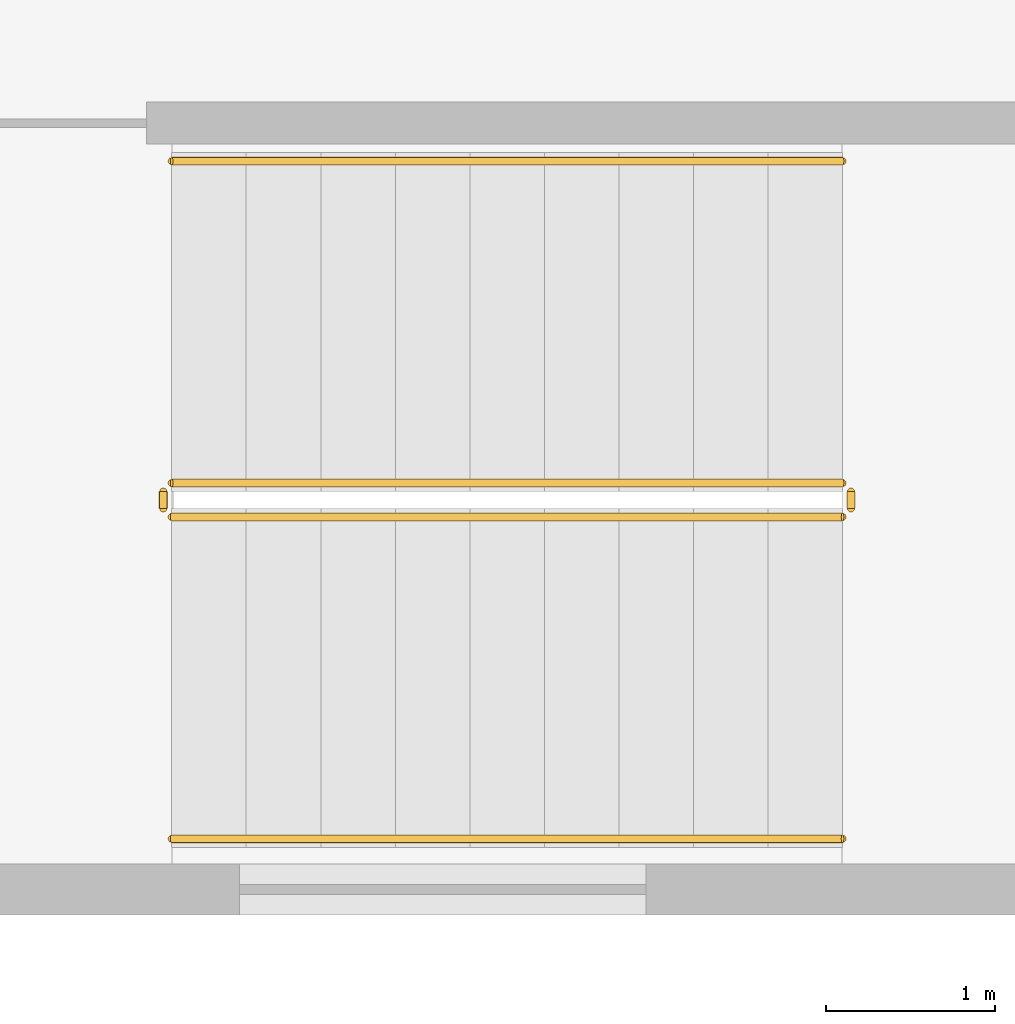
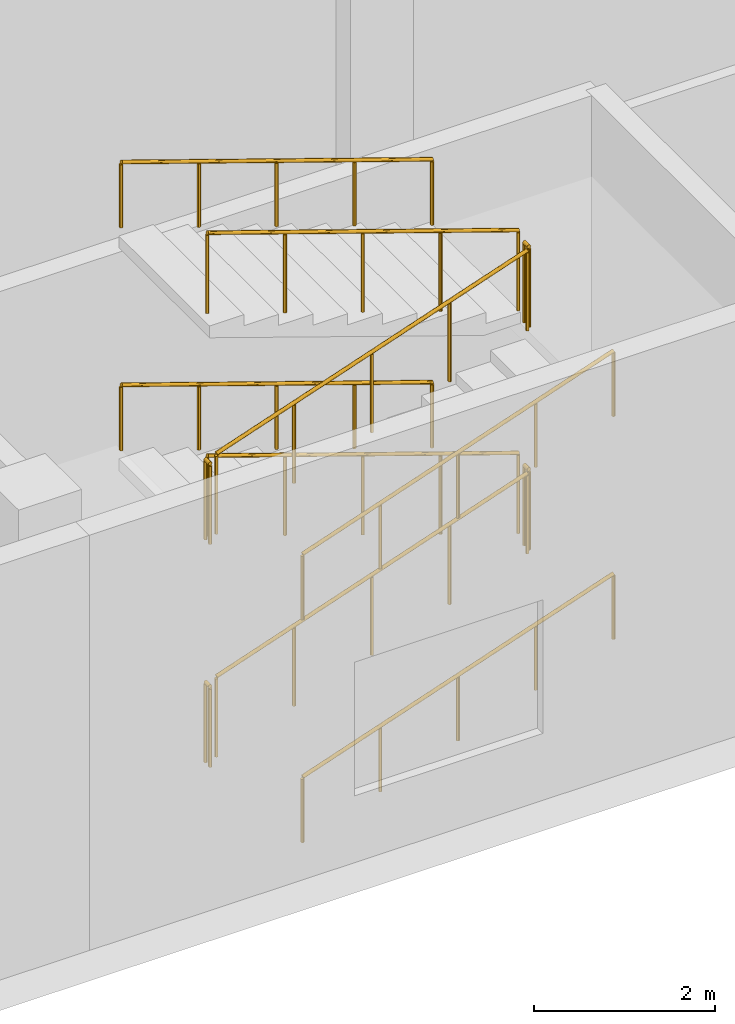
# One storey, part 45 of 51: 12 railings.
"""IFC4 building model written with IfcOpenShell, lengths in metres."""

import ifcopenshell
import ifcopenshell.guid

model = None  # the IFC model being written
_history = None  # IfcOwnerHistory: only IFC2X3 demands one
_inside = {}  # id of a spatial element -> (the spatial element, [elements in it])
_under = {}  # id of a project, library or spatial element -> (it, [spatial elements below it])
_declared = {}  # id of a project -> (the project, [libraries it declares])
_typed = {}  # id of a type object -> (the type object, [elements of that type])
_made_of = {}  # id of a material, layer set ... -> (it, [elements and type objects made of it])


def new_model(schema):
    """Start an empty IFC model of exactly this schema.

    Asked for "IFC4X3", IfcOpenShell would pick the latest addendum, in which some entities
    have other attributes; the version numbers below select the first issue.
    IFC2X3 requires an IfcOwnerHistory on every rooted entity: one is made here for all.
    """
    global model, _history
    if schema == "IFC4X3":
        model = ifcopenshell.file(schema_version=(4, 3, 0, 0))
    else:
        model = ifcopenshell.file(schema=schema)
    _inside.clear()
    _under.clear()
    _declared.clear()
    _typed.clear()
    _made_of.clear()
    _history = None
    if model.schema == "IFC2X3":
        org = make("IfcOrganization", Name="unknown")
        user = make(
            "IfcPersonAndOrganization",
            ThePerson=make("IfcPerson", FamilyName="unknown"),
            TheOrganization=org,
        )
        app = make(
            "IfcApplication",
            ApplicationDeveloper=org,
            Version="unknown",
            ApplicationFullName="unknown",
            ApplicationIdentifier="unknown",
        )
        _history = make(
            "IfcOwnerHistory",
            OwningUser=user,
            OwningApplication=app,
            ChangeAction="ADDED",
            CreationDate=0,
        )
    return model


def make(cls, **values):
    """One entity of the class cls with the attributes given. An attribute that is None is left unset."""
    return model.create_entity(
        cls, **{name: value for name, value in values.items() if value is not None}
    )


def rooted(cls, **values):
    """An entity with a GlobalId (a new one), such as an element, a storey or a relation."""
    return make(cls, GlobalId=ifcopenshell.guid.new(), OwnerHistory=_history, **values)


def si_unit(unit_type, name, prefix=None):
    """IfcSIUnit, for example si_unit("LENGTHUNIT", "METRE", prefix="MILLI")."""
    return make("IfcSIUnit", UnitType=unit_type, Prefix=prefix, Name=name)


def assignment(units):
    """IfcUnitAssignment: the units of a project."""
    return None if units is None else make("IfcUnitAssignment", Units=units)


def point(xyz):
    """IfcCartesianPoint."""
    return None if xyz is None else make("IfcCartesianPoint", Coordinates=xyz)


def direction(xyz):
    """IfcDirection."""
    return None if xyz is None else make("IfcDirection", DirectionRatios=xyz)


def frame(location, z_axis=None, x_axis=None):
    """IfcAxis2Placement3D, a coordinate frame: its origin and axes. An axis left out is left unset."""
    return make(
        "IfcAxis2Placement3D",
        Location=point(location),
        Axis=direction(z_axis),
        RefDirection=direction(x_axis),
    )


def frame_2d(location, x_axis=None):
    """IfcAxis2Placement2D, a coordinate frame in the plane: its origin and x axis."""
    return make(
        "IfcAxis2Placement2D", Location=point(location), RefDirection=direction(x_axis)
    )


def origin():
    """The frame at (0, 0, 0) with its axes left unset."""
    return frame((0.0, 0.0, 0.0))


def origin_2d():
    """The frame at (0, 0) in the plane with its x axis left unset."""
    return frame_2d((0.0, 0.0))


def place(relative_to, where):
    """IfcLocalPlacement: puts the frame where relative to a parent placement (None: the world)."""
    return make(
        "IfcLocalPlacement", PlacementRelTo=relative_to, RelativePlacement=where
    )


def context(
    kind, dimensions, precision=None, world=None, true_north=None, identifier=None
):
    """IfcGeometricRepresentationContext, for example the 3D "Model" context."""
    return make(
        "IfcGeometricRepresentationContext",
        ContextIdentifier=identifier,
        ContextType=kind,
        CoordinateSpaceDimension=dimensions,
        Precision=precision,
        WorldCoordinateSystem=world,
        TrueNorth=true_north,
    )


def subcontext(parent, identifier, kind, view, scale=None):
    """IfcGeometricRepresentationSubContext, for example "Body" below "Model"."""
    return make(
        "IfcGeometricRepresentationSubContext",
        ContextIdentifier=identifier,
        ContextType=kind,
        ParentContext=parent,
        TargetScale=scale,
        TargetView=view,
    )


def project(units=None, contexts=None):
    """IfcProject with its units and contexts."""
    return rooted(
        "IfcProject",
        Name="project",
        RepresentationContexts=contexts,
        UnitsInContext=assignment(units),
    )


def spatial(cls, under=None, at=None, **own):
    """A site, building, storey or space (cls), placed at a placement, below another one or the project."""
    s = rooted(cls, ObjectPlacement=at, **own)
    if under is not None:
        _under.setdefault(under.id(), (under, []))[1].append(s)
    return s


def profile(cls, at=None, kind="AREA", **sizes):
    """A parametric profile (cls). Its sizes go by their IFC names, for example OverallWidth=200.0."""
    return make(cls, ProfileType=kind, Position=at, **sizes)


def circle(**sizes):
    """IfcCircleProfileDef."""
    return profile("IfcCircleProfileDef", **sizes)


def extrude(swept, where, along, depth):
    """IfcExtrudedAreaSolid: the profile swept, set in the frame where, extruded along a direction by depth."""
    return make(
        "IfcExtrudedAreaSolid",
        SweptArea=swept,
        Position=where,
        ExtrudedDirection=direction(along),
        Depth=depth,
    )


def shape(context_of_items, identifier, shape_type, items):
    """IfcShapeRepresentation: the items that make up one representation, for example the "Body"."""
    return make(
        "IfcShapeRepresentation",
        ContextOfItems=context_of_items,
        RepresentationIdentifier=identifier,
        RepresentationType=shape_type,
        Items=items,
    )


def material(Name=None, Category=None):
    """IfcMaterial."""
    return make("IfcMaterial", Name=Name, Category=Category)


def made_of(thing, what):
    """Note that an element or type object is made of a material, layer set ...; save() writes the relation."""
    if what is not None:
        _made_of.setdefault(what.id(), (what, []))[1].append(thing)
    return thing


def type_object(cls, material=None, **own):
    """A type object (cls), such as IfcWallType, which elements share."""
    return made_of(rooted(cls, **own), material)


def element(
    cls,
    number,
    at=None,
    inside=None,
    cuts=None,
    type_object=None,
    material=None,
    context=None,
    identifier="Body",
    shape_type=None,
    held_by="IfcProductDefinitionShape",
    body=None,
    shapes=None,
    **own,
):
    """One element of the class cls, such as IfcWall. Its Tag is "e" and its number.

    at: its placement. inside: the storey or other place that contains it. cuts: it is an
    opening in that element (IfcRelVoidsElement). A single representation is given by context,
    identifier, shape_type and body (its items); several are given by shapes. held_by: the class
    of the entity that holds the representations. save() writes the other relations.
    """
    e = rooted(cls, Tag="e%d" % number, ObjectPlacement=at, **own)
    if body is not None:
        shapes = [shape(context, identifier, shape_type, body)]
    if shapes is not None:
        e.Representation = make(held_by, Representations=shapes)
    if inside is not None:
        _inside.setdefault(inside.id(), (inside, []))[1].append(e)
    if cuts is not None:
        rooted(
            "IfcRelVoidsElement", RelatingBuildingElement=cuts, RelatedOpeningElement=e
        )
    if type_object is not None:
        _typed.setdefault(type_object.id(), (type_object, []))[1].append(e)
    return made_of(e, material)


def aggregate(whole, parts):
    """IfcRelAggregates: a whole, such as a stair, and the parts it consists of."""
    return rooted("IfcRelAggregates", RelatingObject=whole, RelatedObjects=parts)


def save(model, path):
    """Write the relations noted so far, then the file.

    IfcRelAggregates (storeys below a building ...), IfcRelContainedInSpatialStructure (elements
    in a storey), IfcRelDefinesByType, IfcRelAssociatesMaterial and IfcRelDeclares: one each for
    every whole, place, type object, material and project.
    """
    for whole, parts in _under.values():
        aggregate(whole, parts)
    for where, things in _inside.values():
        rooted(
            "IfcRelContainedInSpatialStructure",
            RelatedElements=things,
            RelatingStructure=where,
        )
    for kind, things in _typed.values():
        rooted("IfcRelDefinesByType", RelatedObjects=things, RelatingType=kind)
    for what, things in _made_of.values():
        rooted("IfcRelAssociatesMaterial", RelatedObjects=things, RelatingMaterial=what)
    for by, libraries in _declared.values():
        rooted("IfcRelDeclares", RelatingContext=by, RelatedDefinitions=libraries)
    model.write(path)


model = new_model("IFC4")

# Units and contexts
model_context = context("Model", 3, precision=1e-05, world=origin(), true_north=direction((0.0, 1.0)))
body_context = subcontext(model_context, "Body", "Model", "MODEL_VIEW")
ifc_project = project(units=[si_unit("LENGTHUNIT", "METRE"), si_unit("AREAUNIT", "SQUARE_METRE"), si_unit("VOLUMEUNIT", "CUBIC_METRE"), si_unit("PLANEANGLEUNIT", "RADIAN"), si_unit("MASSUNIT", "GRAM", prefix="KILO")], contexts=[model_context])

# Site, building, storey
site_placement = place(None, origin())
site = spatial("IfcSite", under=ifc_project, at=site_placement, CompositionType="ELEMENT")
building_placement = place(site_placement, origin())
building = spatial("IfcBuilding", under=site, at=building_placement, Name="Jabali Bay Hotel Tower and Convention Centre", CompositionType="ELEMENT")
storey_placement = place(building_placement, frame((0.0, 0.0, 9.0)))
storey = spatial("IfcBuildingStorey", under=building, at=storey_placement, Name="L01", CompositionType="ELEMENT", Elevation=9.0)

# Railings
ifc_material = material(Name="Stainless steel 304", Category="steel")
railing_type_1 = type_object("IfcRailingType", Name="CC Stair Guard 1100", PredefinedType="GUARDRAIL", material=ifc_material)
railing_1_placement = place(storey_placement, frame((164.0, 51.64990234375, 0.14990234375)))
element("IfcRailing", 1, at=railing_1_placement, inside=storey, type_object=railing_type_1, Name="L01 CC-STS1 stair guard 1", PredefinedType="GUARDRAIL", context=body_context, shape_type="SweptSolid", body=[
    extrude(circle(Radius=0.02392578125, at=origin_2d()), frame((0.0, 0.0, 1.076171875), z_axis=(0.946502086907, 0.0, 0.322697690542), x_axis=(0.0, 1.0, 0.0)), (0.0, 0.0, 1.0), 4.183837890625),
    extrude(circle(Radius=0.02099609375, at=origin_2d()), origin(), (0.0, 0.0, 1.0), 1.052001953125),
    extrude(circle(Radius=0.02099609375, at=origin_2d()), frame((0.989990234375, 0.0, 0.33740234375)), (0.0, 0.0, 1.0), 1.052001953125),
    extrude(circle(Radius=0.02099609375, at=origin_2d()), frame((1.97998046875, 0.0, 0.675048828125)), (0.0, 0.0, 1.0), 1.052001953125),
    extrude(circle(Radius=0.02099609375, at=origin_2d()), frame((2.969970703125, 0.0, 1.0126953125)), (0.0, 0.0, 1.0), 1.052001953125),
    extrude(circle(Radius=0.02099609375, at=origin_2d()), frame((3.9599609375, 0.0, 1.35009765625)), (0.0, 0.0, 1.0), 1.052001953125),
])
railing_2_placement = place(storey_placement, frame((168.010009765625, 51.699951171875, 1.5)))
element("IfcRailing", 2, at=railing_2_placement, inside=storey, type_object=railing_type_1, Name="L01 CC-STS1 stair guard 2", PredefinedType="GUARDRAIL", context=body_context, shape_type="SweptSolid", body=[
    extrude(circle(Radius=0.02392578125, at=origin_2d()), frame((0.0, 0.0, 1.076171875), z_axis=(0.0, 1.0, 0.0), x_axis=(-1.0, 0.0, 0.0)), (0.0, 0.0, 1.0), 0.10009765625),
    extrude(circle(Radius=0.02099609375, at=origin_2d()), origin(), (0.0, 0.0, 1.0), 1.052001953125),
    extrude(circle(Radius=0.02099609375, at=origin_2d()), frame((0.0, 0.10009765625, 0.0)), (0.0, 0.0, 1.0), 1.052001953125),
])
railing_3_placement = place(storey_placement, frame((167.9599609375, 51.85009765625, 1.64990234375)))
element("IfcRailing", 3, at=railing_3_placement, inside=storey, type_object=railing_type_1, Name="L01 CC-STS1 stair guard 3", PredefinedType="GUARDRAIL", context=body_context, shape_type="SweptSolid", body=[
    extrude(circle(Radius=0.02392578125, at=origin_2d()), frame((0.0, 0.0, 1.076171875), z_axis=(-0.946502086907, 0.0, 0.322697690542), x_axis=(0.0, -1.0, 0.0)), (0.0, 0.0, 1.0), 4.183837890625),
    extrude(circle(Radius=0.02099609375, at=origin_2d()), origin(), (0.0, 0.0, 1.0), 1.052001953125),
    extrude(circle(Radius=0.02099609375, at=origin_2d()), frame((-0.989990234375, 0.0, 0.33740234375)), (0.0, 0.0, 1.0), 1.052001953125),
    extrude(circle(Radius=0.02099609375, at=origin_2d()), frame((-1.97998046875, 0.0, 0.675048828125)), (0.0, 0.0, 1.0), 1.052001953125),
    extrude(circle(Radius=0.02099609375, at=origin_2d()), frame((-2.969970703125, 0.0, 1.0126953125)), (0.0, 0.0, 1.0), 1.052001953125),
    extrude(circle(Radius=0.02099609375, at=origin_2d()), frame((-3.9599609375, 0.0, 1.35009765625)), (0.0, 0.0, 1.0), 1.052001953125),
])
railing_4_placement = place(storey_placement, frame((163.949951171875, 51.699951171875, 3.0)))
element("IfcRailing", 4, at=railing_4_placement, inside=storey, type_object=railing_type_1, Name="L01 CC-STS1 stair guard 4", PredefinedType="GUARDRAIL", context=body_context, shape_type="SweptSolid", body=[
    extrude(circle(Radius=0.02392578125, at=origin_2d()), frame((0.0, 0.0, 1.076171875), z_axis=(0.0, 1.0, 0.0), x_axis=(-1.0, 0.0, 0.0)), (0.0, 0.0, 1.0), 0.10009765625),
    extrude(circle(Radius=0.02099609375, at=origin_2d()), origin(), (0.0, 0.0, 1.0), 1.052001953125),
    extrude(circle(Radius=0.02099609375, at=origin_2d()), frame((0.0, 0.10009765625, 0.0)), (0.0, 0.0, 1.0), 1.052001953125),
])
railing_5_placement = place(storey_placement, frame((164.0, 51.64990234375, 3.14990234375)))
element("IfcRailing", 5, at=railing_5_placement, inside=storey, type_object=railing_type_1, Name="L01 CC-STS1 stair guard 5", PredefinedType="GUARDRAIL", context=body_context, shape_type="SweptSolid", body=[
    extrude(circle(Radius=0.02392578125, at=origin_2d()), frame((0.0, 0.0, 1.076171875), z_axis=(0.946502086907, 0.0, 0.322697690542), x_axis=(0.0, 1.0, 0.0)), (0.0, 0.0, 1.0), 4.183837890625),
    extrude(circle(Radius=0.02099609375, at=origin_2d()), origin(), (0.0, 0.0, 1.0), 1.052001953125),
    extrude(circle(Radius=0.02099609375, at=origin_2d()), frame((0.989990234375, 0.0, 0.33740234375)), (0.0, 0.0, 1.0), 1.052001953125),
    extrude(circle(Radius=0.02099609375, at=origin_2d()), frame((1.97998046875, 0.0, 0.675048828125)), (0.0, 0.0, 1.0), 1.052001953125),
    extrude(circle(Radius=0.02099609375, at=origin_2d()), frame((2.969970703125, 0.0, 1.0126953125)), (0.0, 0.0, 1.0), 1.052001953125),
    extrude(circle(Radius=0.02099609375, at=origin_2d()), frame((3.9599609375, 0.0, 1.35009765625)), (0.0, 0.0, 1.0), 1.052001953125),
])
railing_6_placement = place(storey_placement, frame((168.010009765625, 51.699951171875, 4.5)))
element("IfcRailing", 6, at=railing_6_placement, inside=storey, type_object=railing_type_1, Name="L01 CC-STS1 stair guard 6", PredefinedType="GUARDRAIL", context=body_context, shape_type="SweptSolid", body=[
    extrude(circle(Radius=0.02392578125, at=origin_2d()), frame((0.0, 0.0, 1.076171875), z_axis=(0.0, 1.0, 0.0), x_axis=(-1.0, 0.0, 0.0)), (0.0, 0.0, 1.0), 0.10009765625),
    extrude(circle(Radius=0.02099609375, at=origin_2d()), origin(), (0.0, 0.0, 1.0), 1.052001953125),
    extrude(circle(Radius=0.02099609375, at=origin_2d()), frame((0.0, 0.10009765625, 0.0)), (0.0, 0.0, 1.0), 1.052001953125),
])
railing_7_placement = place(storey_placement, frame((167.9599609375, 51.85009765625, 4.64990234375)))
element("IfcRailing", 7, at=railing_7_placement, inside=storey, type_object=railing_type_1, Name="L01 CC-STS1 stair guard 7", PredefinedType="GUARDRAIL", context=body_context, shape_type="SweptSolid", body=[
    extrude(circle(Radius=0.02392578125, at=origin_2d()), frame((0.0, 0.0, 1.076171875), z_axis=(-0.946502086907, 0.0, 0.322697690542), x_axis=(0.0, -1.0, 0.0)), (0.0, 0.0, 1.0), 4.183837890625),
    extrude(circle(Radius=0.02099609375, at=origin_2d()), origin(), (0.0, 0.0, 1.0), 1.052001953125),
    extrude(circle(Radius=0.02099609375, at=origin_2d()), frame((-0.989990234375, 0.0, 0.33740234375)), (0.0, 0.0, 1.0), 1.052001953125),
    extrude(circle(Radius=0.02099609375, at=origin_2d()), frame((-1.97998046875, 0.0, 0.675048828125)), (0.0, 0.0, 1.0), 1.052001953125),
    extrude(circle(Radius=0.02099609375, at=origin_2d()), frame((-2.969970703125, 0.0, 1.0126953125)), (0.0, 0.0, 1.0), 1.052001953125),
    extrude(circle(Radius=0.02099609375, at=origin_2d()), frame((-3.9599609375, 0.0, 1.35009765625)), (0.0, 0.0, 1.0), 1.052001953125),
])
railing_8_placement = place(storey_placement, frame((163.949951171875, 51.699951171875, 0.0)))
element("IfcRailing", 8, at=railing_8_placement, inside=storey, type_object=railing_type_1, Name="L01 CC-STS1 stair guard 8", PredefinedType="GUARDRAIL", context=body_context, shape_type="SweptSolid", body=[
    extrude(circle(Radius=0.02392578125, at=origin_2d()), frame((0.0, 0.0, 1.076171875), z_axis=(0.0, 1.0, 0.0), x_axis=(-1.0, 0.0, 0.0)), (0.0, 0.0, 1.0), 0.10009765625),
    extrude(circle(Radius=0.02099609375, at=origin_2d()), origin(), (0.0, 0.0, 1.0), 1.052001953125),
    extrude(circle(Radius=0.02099609375, at=origin_2d()), frame((0.0, 0.10009765625, 0.0)), (0.0, 0.0, 1.0), 1.052001953125),
])
railing_type_2 = type_object("IfcRailingType", Name="CC Stair Handrail 900", PredefinedType="HANDRAIL", material=ifc_material)
railing_9_placement = place(storey_placement, frame((164.0, 49.75, 0.14990234375)))
element("IfcRailing", 9, at=railing_9_placement, inside=storey, type_object=railing_type_2, Name="L01 CC-STS1 stair handrail 1", PredefinedType="HANDRAIL", context=body_context, shape_type="SweptSolid", body=[
    extrude(circle(Radius=0.02392578125, at=origin_2d()), frame((0.0, 0.0, 0.8759765625), z_axis=(0.946502086907, 0.0, 0.322697690542), x_axis=(0.0, 1.0, 0.0)), (0.0, 0.0, 1.0), 4.183837890625),
    extrude(circle(Radius=0.02099609375, at=origin_2d()), origin(), (0.0, 0.0, 1.0), 0.851806640625),
    extrude(circle(Radius=0.02099609375, at=origin_2d()), frame((0.989990234375, 0.0, 0.33740234375)), (0.0, 0.0, 1.0), 0.851806640625),
    extrude(circle(Radius=0.02099609375, at=origin_2d()), frame((1.97998046875, 0.0, 0.675048828125)), (0.0, 0.0, 1.0), 0.851806640625),
    extrude(circle(Radius=0.02099609375, at=origin_2d()), frame((2.969970703125, 0.0, 1.0126953125)), (0.0, 0.0, 1.0), 0.851806640625),
    extrude(circle(Radius=0.02099609375, at=origin_2d()), frame((3.9599609375, 0.0, 1.35009765625)), (0.0, 0.0, 1.0), 0.851806640625),
])
railing_10_placement = place(storey_placement, frame((167.9599609375, 53.75, 1.64990234375)))
element("IfcRailing", 10, at=railing_10_placement, inside=storey, type_object=railing_type_2, Name="L01 CC-STS1 stair handrail 2", PredefinedType="HANDRAIL", context=body_context, shape_type="SweptSolid", body=[
    extrude(circle(Radius=0.02392578125, at=origin_2d()), frame((0.0, 0.0, 0.8759765625), z_axis=(-0.946502086907, 0.0, 0.322697690542), x_axis=(0.0, -1.0, 0.0)), (0.0, 0.0, 1.0), 4.183837890625),
    extrude(circle(Radius=0.02099609375, at=origin_2d()), origin(), (0.0, 0.0, 1.0), 0.851806640625),
    extrude(circle(Radius=0.02099609375, at=origin_2d()), frame((-0.989990234375, 0.0, 0.33740234375)), (0.0, 0.0, 1.0), 0.851806640625),
    extrude(circle(Radius=0.02099609375, at=origin_2d()), frame((-1.97998046875, 0.0, 0.675048828125)), (0.0, 0.0, 1.0), 0.851806640625),
    extrude(circle(Radius=0.02099609375, at=origin_2d()), frame((-2.969970703125, 0.0, 1.0126953125)), (0.0, 0.0, 1.0), 0.851806640625),
    extrude(circle(Radius=0.02099609375, at=origin_2d()), frame((-3.9599609375, 0.0, 1.35009765625)), (0.0, 0.0, 1.0), 0.851806640625),
])
railing_11_placement = place(storey_placement, frame((164.0, 49.75, 3.14990234375)))
element("IfcRailing", 11, at=railing_11_placement, inside=storey, type_object=railing_type_2, Name="L01 CC-STS1 stair handrail 3", PredefinedType="HANDRAIL", context=body_context, shape_type="SweptSolid", body=[
    extrude(circle(Radius=0.02392578125, at=origin_2d()), frame((0.0, 0.0, 0.8759765625), z_axis=(0.946502086907, 0.0, 0.322697690542), x_axis=(0.0, 1.0, 0.0)), (0.0, 0.0, 1.0), 4.183837890625),
    extrude(circle(Radius=0.02099609375, at=origin_2d()), origin(), (0.0, 0.0, 1.0), 0.851806640625),
    extrude(circle(Radius=0.02099609375, at=origin_2d()), frame((0.989990234375, 0.0, 0.33740234375)), (0.0, 0.0, 1.0), 0.851806640625),
    extrude(circle(Radius=0.02099609375, at=origin_2d()), frame((1.97998046875, 0.0, 0.675048828125)), (0.0, 0.0, 1.0), 0.851806640625),
    extrude(circle(Radius=0.02099609375, at=origin_2d()), frame((2.969970703125, 0.0, 1.0126953125)), (0.0, 0.0, 1.0), 0.851806640625),
    extrude(circle(Radius=0.02099609375, at=origin_2d()), frame((3.9599609375, 0.0, 1.35009765625)), (0.0, 0.0, 1.0), 0.851806640625),
])
railing_12_placement = place(storey_placement, frame((167.9599609375, 53.75, 4.64990234375)))
element("IfcRailing", 12, at=railing_12_placement, inside=storey, type_object=railing_type_2, Name="L01 CC-STS1 stair handrail 4", PredefinedType="HANDRAIL", context=body_context, shape_type="SweptSolid", body=[
    extrude(circle(Radius=0.02392578125, at=origin_2d()), frame((0.0, 0.0, 0.8759765625), z_axis=(-0.946502086907, 0.0, 0.322697690542), x_axis=(0.0, -1.0, 0.0)), (0.0, 0.0, 1.0), 4.183837890625),
    extrude(circle(Radius=0.02099609375, at=origin_2d()), origin(), (0.0, 0.0, 1.0), 0.851806640625),
    extrude(circle(Radius=0.02099609375, at=origin_2d()), frame((-0.989990234375, 0.0, 0.33740234375)), (0.0, 0.0, 1.0), 0.851806640625),
    extrude(circle(Radius=0.02099609375, at=origin_2d()), frame((-1.97998046875, 0.0, 0.675048828125)), (0.0, 0.0, 1.0), 0.851806640625),
    extrude(circle(Radius=0.02099609375, at=origin_2d()), frame((-2.969970703125, 0.0, 1.0126953125)), (0.0, 0.0, 1.0), 0.851806640625),
    extrude(circle(Radius=0.02099609375, at=origin_2d()), frame((-3.9599609375, 0.0, 1.35009765625)), (0.0, 0.0, 1.0), 0.851806640625),
])

save(model, "model.ifc")
